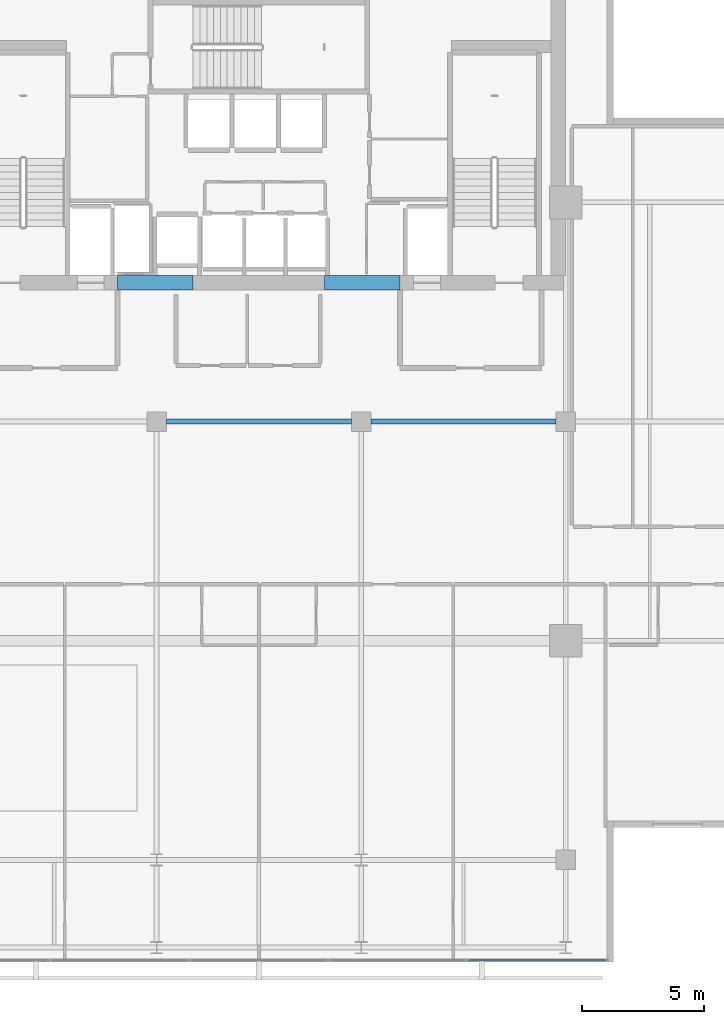
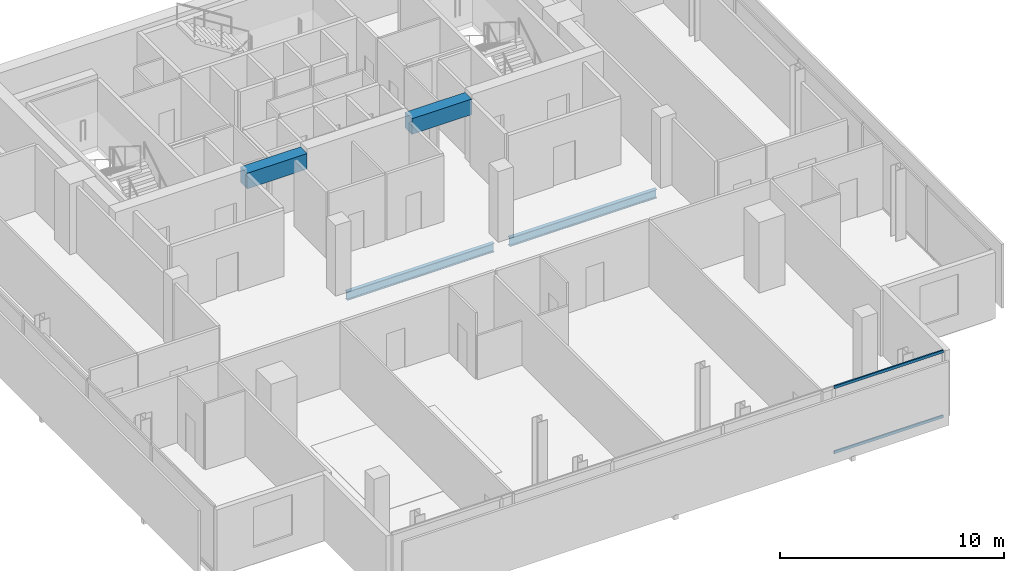
# One storey, part 10 of 23: 4 beams, 2 members, 1 element without a shape of its own.
"""IFC4 building model written with IfcOpenShell, lengths in metres."""

import ifcopenshell
import ifcopenshell.guid

model = None  # the IFC model being written
_history = None  # IfcOwnerHistory: only IFC2X3 demands one
_inside = {}  # id of a spatial element -> (the spatial element, [elements in it])
_under = {}  # id of a project, library or spatial element -> (it, [spatial elements below it])
_declared = {}  # id of a project -> (the project, [libraries it declares])
_typed = {}  # id of a type object -> (the type object, [elements of that type])
_made_of = {}  # id of a material, layer set ... -> (it, [elements and type objects made of it])


def new_model(schema):
    """Start an empty IFC model of exactly this schema.

    Asked for "IFC4X3", IfcOpenShell would pick the latest addendum, in which some entities
    have other attributes; the version numbers below select the first issue.
    IFC2X3 requires an IfcOwnerHistory on every rooted entity: one is made here for all.
    """
    global model, _history
    if schema == "IFC4X3":
        model = ifcopenshell.file(schema_version=(4, 3, 0, 0))
    else:
        model = ifcopenshell.file(schema=schema)
    _inside.clear()
    _under.clear()
    _declared.clear()
    _typed.clear()
    _made_of.clear()
    _history = None
    if model.schema == "IFC2X3":
        org = make("IfcOrganization", Name="unknown")
        user = make(
            "IfcPersonAndOrganization",
            ThePerson=make("IfcPerson", FamilyName="unknown"),
            TheOrganization=org,
        )
        app = make(
            "IfcApplication",
            ApplicationDeveloper=org,
            Version="unknown",
            ApplicationFullName="unknown",
            ApplicationIdentifier="unknown",
        )
        _history = make(
            "IfcOwnerHistory",
            OwningUser=user,
            OwningApplication=app,
            ChangeAction="ADDED",
            CreationDate=0,
        )
    return model


def make(cls, **values):
    """One entity of the class cls with the attributes given. An attribute that is None is left unset."""
    return model.create_entity(
        cls, **{name: value for name, value in values.items() if value is not None}
    )


def rooted(cls, **values):
    """An entity with a GlobalId (a new one), such as an element, a storey or a relation."""
    return make(cls, GlobalId=ifcopenshell.guid.new(), OwnerHistory=_history, **values)


def si_unit(unit_type, name, prefix=None):
    """IfcSIUnit, for example si_unit("LENGTHUNIT", "METRE", prefix="MILLI")."""
    return make("IfcSIUnit", UnitType=unit_type, Prefix=prefix, Name=name)


def assignment(units):
    """IfcUnitAssignment: the units of a project."""
    return None if units is None else make("IfcUnitAssignment", Units=units)


def point(xyz):
    """IfcCartesianPoint."""
    return None if xyz is None else make("IfcCartesianPoint", Coordinates=xyz)


def direction(xyz):
    """IfcDirection."""
    return None if xyz is None else make("IfcDirection", DirectionRatios=xyz)


def frame(location, z_axis=None, x_axis=None):
    """IfcAxis2Placement3D, a coordinate frame: its origin and axes. An axis left out is left unset."""
    return make(
        "IfcAxis2Placement3D",
        Location=point(location),
        Axis=direction(z_axis),
        RefDirection=direction(x_axis),
    )


def frame_2d(location, x_axis=None):
    """IfcAxis2Placement2D, a coordinate frame in the plane: its origin and x axis."""
    return make(
        "IfcAxis2Placement2D", Location=point(location), RefDirection=direction(x_axis)
    )


def origin():
    """The frame at (0, 0, 0) with its axes left unset."""
    return frame((0.0, 0.0, 0.0))


def origin_2d():
    """The frame at (0, 0) in the plane with its x axis left unset."""
    return frame_2d((0.0, 0.0))


def place(relative_to, where):
    """IfcLocalPlacement: puts the frame where relative to a parent placement (None: the world)."""
    return make(
        "IfcLocalPlacement", PlacementRelTo=relative_to, RelativePlacement=where
    )


def context(
    kind, dimensions, precision=None, world=None, true_north=None, identifier=None
):
    """IfcGeometricRepresentationContext, for example the 3D "Model" context."""
    return make(
        "IfcGeometricRepresentationContext",
        ContextIdentifier=identifier,
        ContextType=kind,
        CoordinateSpaceDimension=dimensions,
        Precision=precision,
        WorldCoordinateSystem=world,
        TrueNorth=true_north,
    )


def subcontext(parent, identifier, kind, view, scale=None):
    """IfcGeometricRepresentationSubContext, for example "Body" below "Model"."""
    return make(
        "IfcGeometricRepresentationSubContext",
        ContextIdentifier=identifier,
        ContextType=kind,
        ParentContext=parent,
        TargetScale=scale,
        TargetView=view,
    )


def project(units=None, contexts=None):
    """IfcProject with its units and contexts."""
    return rooted(
        "IfcProject",
        Name="project",
        RepresentationContexts=contexts,
        UnitsInContext=assignment(units),
    )


def spatial(cls, under=None, at=None, **own):
    """A site, building, storey or space (cls), placed at a placement, below another one or the project."""
    s = rooted(cls, ObjectPlacement=at, **own)
    if under is not None:
        _under.setdefault(under.id(), (under, []))[1].append(s)
    return s


def profile(cls, at=None, kind="AREA", **sizes):
    """A parametric profile (cls). Its sizes go by their IFC names, for example OverallWidth=200.0."""
    return make(cls, ProfileType=kind, Position=at, **sizes)


def rectangle(**sizes):
    """IfcRectangleProfileDef."""
    return profile("IfcRectangleProfileDef", **sizes)


def hollow_rectangle(**sizes):
    """IfcRectangleHollowProfileDef."""
    return profile("IfcRectangleHollowProfileDef", **sizes)


def i_section(**sizes):
    """IfcIShapeProfileDef."""
    return profile("IfcIShapeProfileDef", **sizes)


def extrude(swept, where, along, depth):
    """IfcExtrudedAreaSolid: the profile swept, set in the frame where, extruded along a direction by depth."""
    return make(
        "IfcExtrudedAreaSolid",
        SweptArea=swept,
        Position=where,
        ExtrudedDirection=direction(along),
        Depth=depth,
    )


def shape(context_of_items, identifier, shape_type, items):
    """IfcShapeRepresentation: the items that make up one representation, for example the "Body"."""
    return make(
        "IfcShapeRepresentation",
        ContextOfItems=context_of_items,
        RepresentationIdentifier=identifier,
        RepresentationType=shape_type,
        Items=items,
    )


def material(Name=None, Category=None):
    """IfcMaterial."""
    return make("IfcMaterial", Name=Name, Category=Category)


def layer(
    of_material, thickness, ventilated=None, Name=None, Category=None, Priority=None
):
    """IfcMaterialLayer: one layer of a wall or slab, of a material (None: an air gap)."""
    return make(
        "IfcMaterialLayer",
        Material=of_material,
        LayerThickness=thickness,
        IsVentilated=ventilated,
        Name=Name,
        Category=Category,
        Priority=Priority,
    )


def layer_set(layers, Name=None):
    """IfcMaterialLayerSet."""
    return make("IfcMaterialLayerSet", MaterialLayers=layers, LayerSetName=Name)


def material_profile(
    of_material, cross_section, Name=None, Category=None, Priority=None
):
    """IfcMaterialProfile: a cross section and its material."""
    return make(
        "IfcMaterialProfile",
        Name=Name,
        Material=of_material,
        Profile=cross_section,
        Priority=Priority,
        Category=Category,
    )


def profile_set(profiles, Name=None, composite=None):
    """IfcMaterialProfileSet."""
    return make(
        "IfcMaterialProfileSet",
        Name=Name,
        MaterialProfiles=profiles,
        CompositeProfile=composite,
    )


def made_of(thing, what):
    """Note that an element or type object is made of a material, layer set ...; save() writes the relation."""
    if what is not None:
        _made_of.setdefault(what.id(), (what, []))[1].append(thing)
    return thing


def type_object(cls, material=None, **own):
    """A type object (cls), such as IfcWallType, which elements share."""
    return made_of(rooted(cls, **own), material)


def element(
    cls,
    number,
    at=None,
    inside=None,
    cuts=None,
    type_object=None,
    material=None,
    context=None,
    identifier="Body",
    shape_type=None,
    held_by="IfcProductDefinitionShape",
    body=None,
    shapes=None,
    **own,
):
    """One element of the class cls, such as IfcWall. Its Tag is "e" and its number.

    at: its placement. inside: the storey or other place that contains it. cuts: it is an
    opening in that element (IfcRelVoidsElement). A single representation is given by context,
    identifier, shape_type and body (its items); several are given by shapes. held_by: the class
    of the entity that holds the representations. save() writes the other relations.
    """
    e = rooted(cls, Tag="e%d" % number, ObjectPlacement=at, **own)
    if body is not None:
        shapes = [shape(context, identifier, shape_type, body)]
    if shapes is not None:
        e.Representation = make(held_by, Representations=shapes)
    if inside is not None:
        _inside.setdefault(inside.id(), (inside, []))[1].append(e)
    if cuts is not None:
        rooted(
            "IfcRelVoidsElement", RelatingBuildingElement=cuts, RelatedOpeningElement=e
        )
    if type_object is not None:
        _typed.setdefault(type_object.id(), (type_object, []))[1].append(e)
    return made_of(e, material)


def aggregate(whole, parts):
    """IfcRelAggregates: a whole, such as a stair, and the parts it consists of."""
    return rooted("IfcRelAggregates", RelatingObject=whole, RelatedObjects=parts)


def save(model, path):
    """Write the relations noted so far, then the file.

    IfcRelAggregates (storeys below a building ...), IfcRelContainedInSpatialStructure (elements
    in a storey), IfcRelDefinesByType, IfcRelAssociatesMaterial and IfcRelDeclares: one each for
    every whole, place, type object, material and project.
    """
    for whole, parts in _under.values():
        aggregate(whole, parts)
    for where, things in _inside.values():
        rooted(
            "IfcRelContainedInSpatialStructure",
            RelatedElements=things,
            RelatingStructure=where,
        )
    for kind, things in _typed.values():
        rooted("IfcRelDefinesByType", RelatedObjects=things, RelatingType=kind)
    for what, things in _made_of.values():
        rooted("IfcRelAssociatesMaterial", RelatedObjects=things, RelatingMaterial=what)
    for by, libraries in _declared.values():
        rooted("IfcRelDeclares", RelatingContext=by, RelatedDefinitions=libraries)
    model.write(path)


model = new_model("IFC4")

# Units and contexts
model_context = context("Model", 3, precision=1e-05, world=origin(), true_north=direction((0.0, 1.0)))
body_context = subcontext(model_context, "Body", "Model", "MODEL_VIEW")
ifc_project = project(units=[si_unit("LENGTHUNIT", "METRE"), si_unit("AREAUNIT", "SQUARE_METRE"), si_unit("VOLUMEUNIT", "CUBIC_METRE"), si_unit("PLANEANGLEUNIT", "RADIAN"), si_unit("MASSUNIT", "GRAM", prefix="KILO")], contexts=[model_context])

# Site, building, storey
site_placement = place(None, origin())
site = spatial("IfcSite", under=ifc_project, at=site_placement, CompositionType="ELEMENT")
building_placement = place(site_placement, origin())
building = spatial("IfcBuilding", under=site, at=building_placement, Name="Maruvema Waterfront Hotel and Observation Tower", CompositionType="ELEMENT")
storey_placement = place(building_placement, frame((0.0, 0.0, 337.39990234375)))
storey = spatial("IfcBuildingStorey", under=building, at=storey_placement, Name="L83", CompositionType="ELEMENT", Elevation=337.39990234375)

# Beams
ifc_material_1 = material(Name="Concrete C60/75", Category="concrete")
ifc_material_profile_1 = material_profile(ifc_material_1, rectangle(XDim=0.60009765625, YDim=0.85009765625, at=origin_2d()), Name="CB600x850")
ifc_profile_set_1 = profile_set([ifc_material_profile_1], Name="Concrete C60/75")
beam_type_1 = type_object("IfcBeamType", Name="Core Coupling Lintel Beam CB600x850", PredefinedType="LINTEL", material=ifc_profile_set_1)
for number, where, z_axis, x_axis, name in (
    (1, (32.0, 41.699951171875, 3.18505859375), (1.0, 0.0, 0.0), (0.0, 1.0, 0.0), "L83 Core Coupling Lintel Beam West"),
    (2, (40.5, 41.699951171875, 3.18505859375), (1.0, 0.0, 0.0), (0.0, 1.0, 0.0), "L83 Core Coupling Lintel Beam East"),
):
    element("IfcBeam", number, at=place(storey_placement, frame(where, z_axis=z_axis, x_axis=x_axis)), inside=storey, type_object=beam_type_1, Name=name, PredefinedType="LINTEL", context=body_context, shape_type="SweptSolid", body=[
        extrude(rectangle(XDim=0.60009765625, YDim=0.85009765625, at=origin_2d()), origin(), (0.0, 0.0, 1.0), 3.10009765625),
    ])

# Curtain wall, members
ifc_material_2 = material(Name="Anodised bronze aluminium and solar-control low-E IGU", Category="aluminium")
ifc_layer = layer(ifc_material_2, 0.159912109375, Name="Zone 4 Sky Residence Inner Curtain Wall System CW-05")
ifc_layer_set = layer_set([ifc_layer], Name="Anodised bronze aluminium and solar-control low-E IGU")
curtain_wall_type = type_object("IfcCurtainWallType", Name="Zone 4 Sky Residence Inner Curtain Wall System CW-05", PredefinedType="USERDEFINED", material=ifc_layer_set)
curtain_wall_placement = place(storey_placement, origin())
curtain_wall = element("IfcCurtainWall", 3, at=curtain_wall_placement, inside=storey, type_object=curtain_wall_type, Name="L83 Curtain Wall CW-L83-S", ObjectType="UNITISED CURTAIN WALL", PredefinedType="USERDEFINED")
ifc_material_3 = material(Name="Anodised architectural bronze aluminium", Category="aluminium")
ifc_material_profile_2 = material_profile(ifc_material_3, hollow_rectangle(XDim=0.070068359375, YDim=0.14990234375, WallThickness=0.00390625, at=origin_2d()), Name="ALU-T70x150")
ifc_profile_set_2 = profile_set([ifc_material_profile_2], Name="Anodised architectural bronze aluminium")
member_type = type_object("IfcMemberType", Name="Curtain Wall Horizontal Transom ALU-T70x150", PredefinedType="USERDEFINED", material=ifc_profile_set_2)
member_1_placement = place(storey_placement, frame((46.409912109375, 13.8798828125, 0.030029296875), z_axis=(1.0, 0.0, 0.0), x_axis=(0.0, 1.0, 0.0)))
member_1 = element("IfcMember", 4, at=member_1_placement, type_object=member_type, Name="CW-05 transom 5.1", ObjectType="TRANSOM", PredefinedType="USERDEFINED", context=body_context, shape_type="SweptSolid", body=[
    extrude(hollow_rectangle(XDim=0.070068359375, YDim=0.14990234375, WallThickness=0.00390625, at=origin_2d()), origin(), (0.0, 0.0, 1.0), 5.630126953125),
])
member_2_placement = place(storey_placement, frame((46.409912109375, 13.8798828125, 3.580078125), z_axis=(1.0, 0.0, 0.0), x_axis=(0.0, 1.0, 0.0)))
member_2 = element("IfcMember", 5, at=member_2_placement, type_object=member_type, Name="CW-05 transom 5.2", ObjectType="TRANSOM", PredefinedType="USERDEFINED", context=body_context, shape_type="SweptSolid", body=[
    extrude(hollow_rectangle(XDim=0.070068359375, YDim=0.14990234375, WallThickness=0.00390625, at=origin_2d()), origin(), (0.0, 0.0, 1.0), 5.630126953125),
])
aggregate(curtain_wall, [member_1, member_2])

# Beams
ifc_material_4 = material(Name="Steel ASTM A572 Grade 50", Category="steel")
ifc_material_profile_3 = material_profile(ifc_material_4, i_section(OverallWidth=0.194091796875, OverallDepth=0.468994140625, WebThickness=0.0126953125, FlangeThickness=0.0205078125, FilletRadius=0.014892578125, at=origin_2d()), Name="W460x106.0")
ifc_profile_set_3 = profile_set([ifc_material_profile_3], Name="Steel ASTM A572 Grade 50")
beam_type_2 = type_object("IfcBeamType", Name="Primary Floor Girder W460x106.0", PredefinedType="BEAM", material=ifc_profile_set_3)
for number, where, z_axis, x_axis, name in (
    (6, (34.0, 36.0, -0.474365234375), (1.0, 0.0, 0.0), (0.0, 1.0, 0.0), "L83 Floor Girder EW-12"),
    (7, (42.39990234375, 36.0, -0.474365234375), (1.0, 0.0, 0.0), (0.0, 1.0, 0.0), "L83 Floor Girder EW-13"),
):
    element("IfcBeam", number, at=place(storey_placement, frame(where, z_axis=z_axis, x_axis=x_axis)), inside=storey, type_object=beam_type_2, Name=name, PredefinedType="BEAM", context=body_context, shape_type="SweptSolid", body=[
        extrude(i_section(OverallWidth=0.194091796875, OverallDepth=0.468994140625, WebThickness=0.0126953125, FlangeThickness=0.0205078125, FilletRadius=0.014892578125, at=origin_2d()), origin(), (0.0, 0.0, 1.0), 7.60009765625),
    ])

save(model, "model.ifc")
